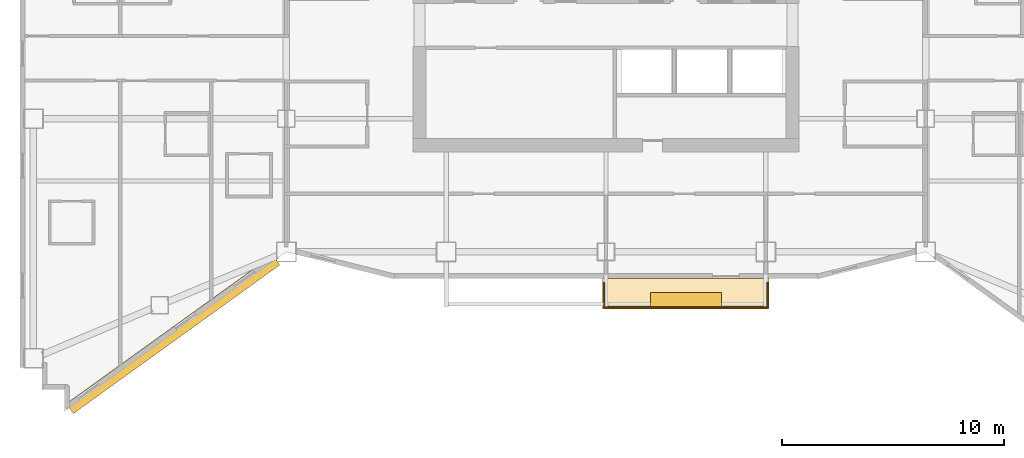
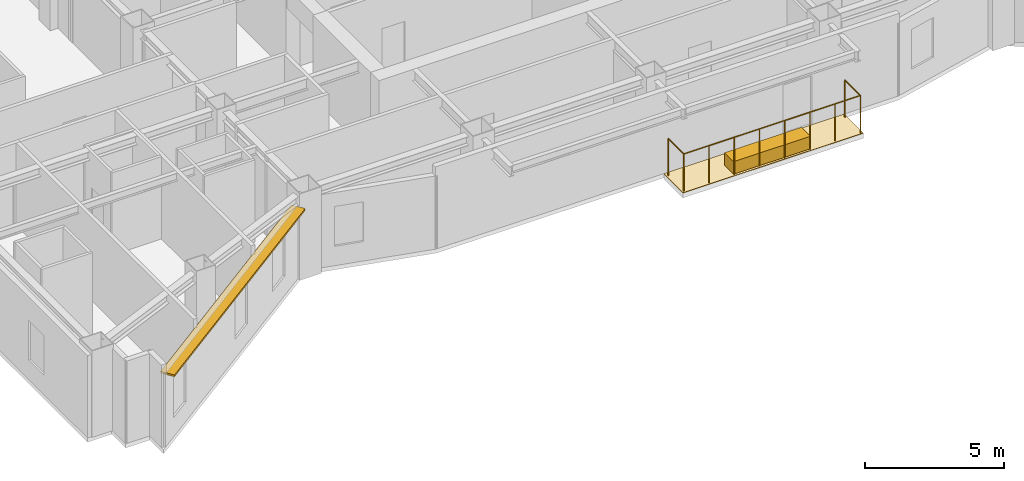
# One storey, part 10 of 11: 2 coverings, 2 railings, 1 shading device.
"""IFC4 building model written with IfcOpenShell, lengths in metres."""

from ifc_helpers import new_model, si_unit, direction, frame, origin, origin_2d, place, context, subcontext, project, spatial, polyline, rectangle, circle, outline, extrude, material, layer, layer_set, type_object, element, save


model = new_model("IFC4")

# Units and contexts
model_context = context("Model", 3, precision=1e-05, world=origin(), true_north=direction((0.0, 1.0)))
body_context = subcontext(model_context, "Body", "Model", "MODEL_VIEW")
ifc_project = project(units=[si_unit("LENGTHUNIT", "METRE"), si_unit("AREAUNIT", "SQUARE_METRE"), si_unit("VOLUMEUNIT", "CUBIC_METRE"), si_unit("PLANEANGLEUNIT", "RADIAN"), si_unit("MASSUNIT", "GRAM", prefix="KILO")], contexts=[model_context])

# Site, building, storey
site_placement = place(None, origin())
site = spatial("IfcSite", under=ifc_project, at=site_placement, CompositionType="ELEMENT")
building_placement = place(site_placement, origin())
building = spatial("IfcBuilding", under=site, at=building_placement, Name="Haolan Belvedere Tower", CompositionType="ELEMENT")
storey_placement = place(building_placement, frame((0.0, 0.0, 199.39990234375)))
storey = spatial("IfcBuildingStorey", under=building, at=storey_placement, Name="L50", CompositionType="ELEMENT", Elevation=199.39990234375)

# Coverings
ifc_material_1 = material(Name="Engineered lightweight planted garden soil substrate", Category="masonry")
ifc_layer_1 = layer(ifc_material_1, 0.550048828125, Name="Engineered lightweight planted garden soil substrate")
ifc_layer_set_1 = layer_set([ifc_layer_1], Name="Engineered lightweight planted garden soil substrate")
covering_type_1 = type_object("IfcCoveringType", Name="COV-PLANT-550", PredefinedType="MEMBRANE", material=ifc_layer_set_1)
covering_1_placement = place(storey_placement, frame((42.0, 19.43994140625, 0.0), z_axis=(0.0, 0.0, 1.0), x_axis=(1.0, 0.0, 0.0)))
element("IfcCovering", 1, at=covering_1_placement, inside=storey, type_object=covering_type_1, Name="L50 structural tree balcony PLANTER box 1", PredefinedType="MEMBRANE", context=body_context, shape_type="SweptSolid", body=[
    extrude(rectangle(XDim=3.199951171875, YDim=0.64990234375, at=origin_2d()), origin(), (0.0, 0.0, 1.0), 0.550048828125),
])
ifc_material_2 = material(Name="Elastomeric waterproof roofing membrane and stone pavers", Category="masonry")
ifc_layer_2 = layer(ifc_material_2, 0.02001953125, Name="Elastomeric waterproof roofing membrane and stone pavers")
ifc_layer_set_2 = layer_set([ifc_layer_2], Name="Elastomeric waterproof roofing membrane and stone pavers")
covering_type_2 = type_object("IfcCoveringType", Name="COV-ROOF-20", PredefinedType="ROOFING", material=ifc_layer_set_2)
covering_2_placement = place(storey_placement, frame((0.0, 0.0, -0.02001953125)))
element("IfcCovering", 2, at=covering_2_placement, inside=storey, type_object=covering_type_2, Name="L50 tree-balcony waterproof membrane 1", PredefinedType="ROOFING", context=body_context, shape_type="SweptSolid", body=[
    extrude(outline(polyline([(38.25, 19.02001953125), (45.75, 19.02001953125), (45.75, 20.39990234375), (38.25, 20.39990234375), (38.25, 19.02001953125)])), origin(), (0.0, 0.0, 1.0), 0.02001953125),
])

# Railings
ifc_material_3 = material(Name="Anodised aluminium and laminated glass balustrade", Category="aluminium")
railing_type = type_object("IfcRailingType", Name="RL-TER-BAL-1150", PredefinedType="BALUSTRADE", material=ifc_material_3)
railing_1_placement = place(storey_placement, frame((38.330078125, 19.10009765625, 0.0)))
element("IfcRailing", 3, at=railing_1_placement, inside=storey, type_object=railing_type, Name="L50 outdoor perimeter balustrade BAL-L50-1-1", PredefinedType="BALUSTRADE", context=body_context, shape_type="SweptSolid", body=[
    extrude(circle(Radius=0.02392578125, at=origin_2d()), frame((0.0, 0.0, 1.6259765625), z_axis=(0.0, 1.0, 0.0), x_axis=(-1.0, 0.0, 0.0)), (0.0, 0.0, 1.0), 1.119873046875),
    extrude(circle(Radius=0.02099609375, at=origin_2d()), origin(), (0.0, 0.0, 1.0), 1.601806640625),
    extrude(circle(Radius=0.02099609375, at=origin_2d()), frame((0.0, 1.119873046875, 0.0)), (0.0, 0.0, 1.0), 1.601806640625),
])
railing_2_placement = place(storey_placement, frame((45.669921875, 20.219970703125, 0.0)))
element("IfcRailing", 4, at=railing_2_placement, inside=storey, type_object=railing_type, Name="L50 outdoor perimeter balustrade BAL-L50-1-2", PredefinedType="BALUSTRADE", context=body_context, shape_type="SweptSolid", body=[
    extrude(circle(Radius=0.02392578125, at=origin_2d()), frame((0.0, 0.0, 1.6259765625), z_axis=(0.0, -1.0, 0.0), x_axis=(1.0, 0.0, 0.0)), (0.0, 0.0, 1.0), 1.119873046875),
    extrude(circle(Radius=0.02392578125, at=origin_2d()), frame((0.0, -1.119873046875, 1.6259765625), z_axis=(-1.0, 0.0, 0.0), x_axis=(0.0, -1.0, 0.0)), (0.0, 0.0, 1.0), 7.33984375),
    extrude(circle(Radius=0.02099609375, at=origin_2d()), origin(), (0.0, 0.0, 1.0), 1.601806640625),
    extrude(circle(Radius=0.02099609375, at=origin_2d()), frame((0.0, -1.119873046875, 0.0)), (0.0, 0.0, 1.0), 1.601806640625),
    extrude(circle(Radius=0.02099609375, at=origin_2d()), frame((-1.048583984375, -1.119873046875, 0.0)), (0.0, 0.0, 1.0), 1.601806640625),
    extrude(circle(Radius=0.02099609375, at=origin_2d()), frame((-2.09716796875, -1.119873046875, 0.0)), (0.0, 0.0, 1.0), 1.601806640625),
    extrude(circle(Radius=0.02099609375, at=origin_2d()), frame((-3.145751953125, -1.119873046875, 0.0)), (0.0, 0.0, 1.0), 1.601806640625),
    extrude(circle(Radius=0.02099609375, at=origin_2d()), frame((-4.194091796875, -1.119873046875, 0.0)), (0.0, 0.0, 1.0), 1.601806640625),
    extrude(circle(Radius=0.02099609375, at=origin_2d()), frame((-5.24267578125, -1.119873046875, 0.0)), (0.0, 0.0, 1.0), 1.601806640625),
    extrude(circle(Radius=0.02099609375, at=origin_2d()), frame((-6.291259765625, -1.119873046875, 0.0)), (0.0, 0.0, 1.0), 1.601806640625),
    extrude(circle(Radius=0.02099609375, at=origin_2d()), frame((-7.33984375, -1.119873046875, 0.0)), (0.0, 0.0, 1.0), 1.601806640625),
])

# Shading device
ifc_material_4 = material(Name="Anodised champagne-silver aluminium 6063-T6", Category="aluminium")
ifc_layer_3 = layer(ifc_material_4, 0.080078125, Name="Anodised champagne-silver aluminium 6063-T6")
ifc_layer_set_3 = layer_set([ifc_layer_3], Name="Anodised champagne-silver aluminium 6063-T6")
shading_device_type = type_object("IfcShadingDeviceType", Name="SHD-SUN-550", PredefinedType="USERDEFINED", material=ifc_layer_set_3)
shading_device_placement = place(storey_placement, frame((18.8935546875, 17.88623046875, 3.114990234375), z_axis=(0.0, 0.0, 1.0), x_axis=(0.811533191666, 0.584306322766, 0.0)))
element("IfcShadingDevice", 5, at=shading_device_placement, inside=storey, type_object=shading_device_type, Name="L50 pale-metal horizontal SUNSHADE band 40.1", ObjectType="SUNSHADE", PredefinedType="USERDEFINED", context=body_context, shape_type="SweptSolid", body=[
    extrude(rectangle(XDim=11.45703125, YDim=0.550048828125, at=origin_2d()), origin(), (0.0, 0.0, 1.0), 0.080078125),
])

save(model, "model.ifc")
